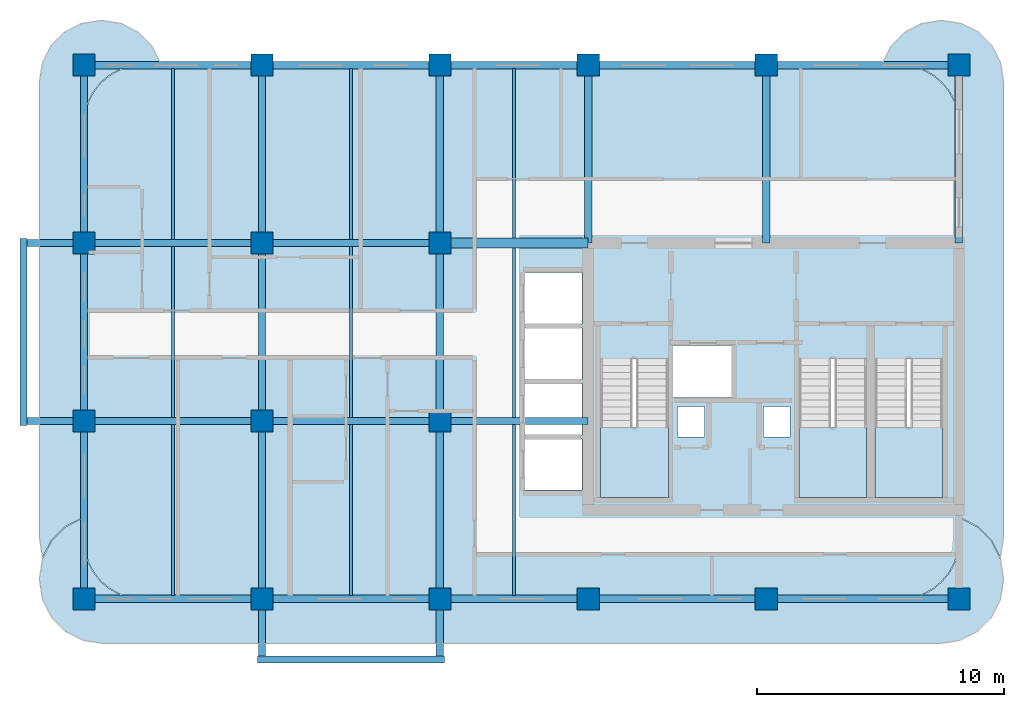
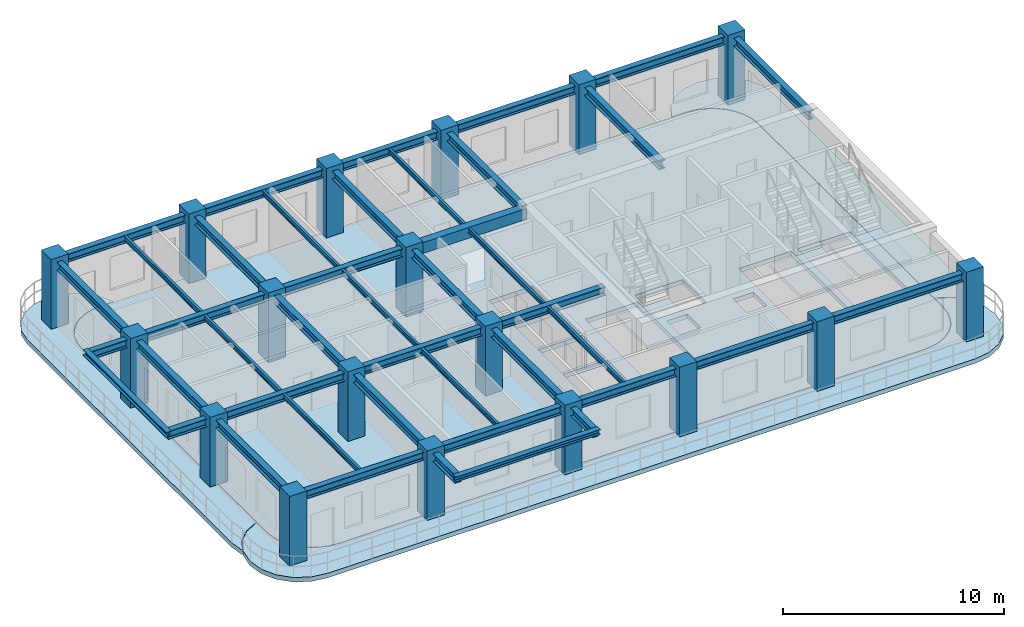
# One storey, part 1 of 8: 39 beams, 18 columns, 7 slabs, 3 elements without a shape of their own.
"""IFC4 building model written with IfcOpenShell, lengths in metres."""

from ifc_helpers import new_model, si_unit, derived_unit, direction, frame, origin, origin_2d, place, context, subcontext, project, spatial, polyline, rectangle, i_section, outline, extrude, source, transform, mapped, material, layer, layer_set, material_profile, profile_set, type_object, type_shapes, element, aggregate, save


model = new_model("IFC4")

# Units and contexts
model_context = context("Model", 3, precision=1e-05, world=origin(), true_north=direction((0.0, 1.0)))
body_context = subcontext(model_context, "Body", "Model", "MODEL_VIEW")
ifc_project = project(units=[si_unit("LENGTHUNIT", "METRE"), si_unit("AREAUNIT", "SQUARE_METRE"), si_unit("VOLUMEUNIT", "CUBIC_METRE"), si_unit("PLANEANGLEUNIT", "RADIAN"), si_unit("MASSUNIT", "GRAM", prefix="KILO"), si_unit("THERMODYNAMICTEMPERATUREUNIT", "KELVIN"), si_unit("POWERUNIT", "WATT"), derived_unit("THERMALTRANSMITTANCEUNIT", [(si_unit("POWERUNIT", "WATT"), 1), (si_unit("AREAUNIT", "SQUARE_METRE"), -1), (si_unit("THERMODYNAMICTEMPERATUREUNIT", "KELVIN"), -1)])], contexts=[model_context])

# Site, building, storey
site_placement = place(None, origin())
site = spatial("IfcSite", under=ifc_project, at=site_placement, CompositionType="ELEMENT")
building_placement = place(site_placement, origin())
building = spatial("IfcBuilding", under=site, at=building_placement, Name="Zahravan Archway Hotel and Residences", CompositionType="ELEMENT")
storey_placement = place(building_placement, frame((0.0, 0.0, 228.85009765625)))
storey = spatial("IfcBuildingStorey", under=building, at=storey_placement, Name="L57", CompositionType="ELEMENT", Elevation=228.85009765625)

# Columns
ifc_material_1 = material(Name="Concrete C60/75", Category="concrete")
ifc_material_profile_1 = material_profile(ifc_material_1, rectangle(XDim=0.89990234375, YDim=0.89990234375, at=origin_2d()), Name="RC-COL-900x900", Category="concrete")
ifc_profile_set_1 = profile_set([ifc_material_profile_1], Name="Concrete C60/75")
column_type = type_object("IfcColumnType", Name="COL-RC-900", PredefinedType="COLUMN", material=ifc_profile_set_1)
shared_shape_1 = source(origin(), body_context, "Body", "SweptSolid", [
    extrude(rectangle(XDim=0.89990234375, YDim=0.89990234375, at=origin_2d()), origin(), (0.0, 0.0, 1.0), 3.849853515625),
])
for number, where, z_axis, x_axis, name in (
    (1, (14.39990234375, 0.0, 0.0), (0.0, 0.0, 1.0), (1.0, 0.0, 0.0), "L57 Column 3-A"),
    (2, (14.39990234375, 7.199951171875, 0.0), (0.0, 0.0, 1.0), (1.0, 0.0, 0.0), "L57 Column 3-B"),
    (3, (14.39990234375, 14.39990234375, 0.0), (0.0, 0.0, 1.0), (1.0, 0.0, 0.0), "L57 Column 3-C"),
    (4, (14.39990234375, 21.60009765625, 0.0), (0.0, 0.0, 1.0), (1.0, 0.0, 0.0), "L57 Column 3-D"),
    (5, (21.60009765625, 0.0, 0.0), (0.0, 0.0, 1.0), (1.0, 0.0, 0.0), "L57 Column 4-A"),
    (6, (21.60009765625, 7.199951171875, 0.0), (0.0, 0.0, 1.0), (1.0, 0.0, 0.0), "L57 Column 4-B"),
    (7, (21.60009765625, 14.39990234375, 0.0), (0.0, 0.0, 1.0), (1.0, 0.0, 0.0), "L57 Column 4-C"),
    (8, (21.60009765625, 21.60009765625, 0.0), (0.0, 0.0, 1.0), (1.0, 0.0, 0.0), "L57 Column 4-D"),
    (9, (28.800048828125, 0.0, 0.0), (0.0, 0.0, 1.0), (1.0, 0.0, 0.0), "L57 Column 5-A"),
    (10, (28.800048828125, 7.199951171875, 0.0), (0.0, 0.0, 1.0), (1.0, 0.0, 0.0), "L57 Column 5-B"),
    (11, (28.800048828125, 14.39990234375, 0.0), (0.0, 0.0, 1.0), (1.0, 0.0, 0.0), "L57 Column 5-C"),
    (12, (28.800048828125, 21.60009765625, 0.0), (0.0, 0.0, 1.0), (1.0, 0.0, 0.0), "L57 Column 5-D"),
    (13, (34.800048828125, 0.0, 0.0), (0.0, 0.0, 1.0), (1.0, 0.0, 0.0), "L57 Column 6-A"),
    (14, (34.800048828125, 21.60009765625, 0.0), (0.0, 0.0, 1.0), (1.0, 0.0, 0.0), "L57 Column 6-D"),
    (15, (42.0, 0.0, 0.0), (0.0, 0.0, 1.0), (1.0, 0.0, 0.0), "L57 Column 7-A"),
    (16, (42.0, 21.60009765625, 0.0), (0.0, 0.0, 1.0), (1.0, 0.0, 0.0), "L57 Column 7-D"),
    (17, (49.800048828125, 0.0, 0.0), (0.0, 0.0, 1.0), (1.0, 0.0, 0.0), "L57 Column 8-A"),
    (18, (49.800048828125, 21.60009765625, 0.0), (0.0, 0.0, 1.0), (1.0, 0.0, 0.0), "L57 Column 8-D"),
):
    element("IfcColumn", number, at=place(storey_placement, frame(where, z_axis=z_axis, x_axis=x_axis)), inside=storey, type_object=column_type, Name=name, PredefinedType="COLUMN", context=body_context, shape_type="MappedRepresentation", body=[
        mapped(shared_shape_1, transform((0.0, 0.0, 0.0), scale=1.0)),
    ])

# Beams
ifc_material_2 = material(Name="Structural Steel S355JR", Category="steel")
ifc_material_profile_2 = material_profile(ifc_material_2, i_section(OverallWidth=0.280029296875, OverallDepth=0.280029296875, WebThickness=0.010498046875, FlangeThickness=0.01806640625, FilletRadius=0.02392578125, at=origin_2d()), Name="HEB 280", Category="steel")
ifc_profile_set_2 = profile_set([ifc_material_profile_2], Name="Structural Steel S355JR")
beam_type_1 = type_object("IfcBeamType", Name="BM-SPN-HEB280", PredefinedType="SPANDREL", material=ifc_profile_set_2)
shared_shape_2 = source(origin(), body_context, "Body", "SweptSolid", [
    extrude(i_section(OverallWidth=0.280029296875, OverallDepth=0.280029296875, WebThickness=0.010498046875, FlangeThickness=0.01806640625, FilletRadius=0.02392578125, at=origin_2d()), origin(), (0.0, 0.0, 1.0), 7.56005859375),
])
type_shapes(beam_type_1, [shared_shape_2])
for number, where, z_axis, x_axis, name in (
    (19, (11.949951171875, 7.02001953125, 3.4599609375), (0.0, 1.0, 0.0), (-1.0, 0.0, 0.0), "L58 WA Balcony Edge Spandrel"),
    (20, (21.419921875, -2.449951171875, 3.4599609375), (1.0, 0.0, 0.0), (0.0, 1.0, 0.0), "L58 SA Balcony Edge Spandrel"),
):
    element("IfcBeam", number, at=place(storey_placement, frame(where, z_axis=z_axis, x_axis=x_axis)), inside=storey, type_object=beam_type_1, Name=name, PredefinedType="SPANDREL", context=body_context, shape_type="MappedRepresentation", body=[
        mapped(shared_shape_2, transform((0.0, 0.0, 0.0), scale=1.0)),
    ])
ifc_material_profile_3 = material_profile(ifc_material_1, rectangle(XDim=0.39990234375, YDim=0.60009765625, at=origin_2d()), Name="RC-LNT-400x600", Category="concrete")
ifc_profile_set_3 = profile_set([ifc_material_profile_3], Name="Concrete C60/75")
beam_type_2 = type_object("IfcBeamType", Name="LNT-RC-400x600", PredefinedType="LINTEL", material=ifc_profile_set_3)
shared_shape_3 = source(origin(), body_context, "Body", "SweptSolid", [
    extrude(rectangle(XDim=0.39990234375, YDim=0.60009765625, at=origin_2d()), origin(), (0.0, 0.0, 1.0), 6.0),
])
type_shapes(beam_type_2, [shared_shape_3])
beam_placement = place(storey_placement, frame((28.800048828125, 14.39990234375, 3.2998046875), z_axis=(1.0, 0.0, 0.0), x_axis=(0.0, 1.0, 0.0)))
element("IfcBeam", 21, at=beam_placement, inside=storey, type_object=beam_type_2, Name="L57 Core A Coupling Lintel Beam", PredefinedType="LINTEL", context=body_context, shape_type="MappedRepresentation", body=[
    mapped(shared_shape_3, transform((0.0, 0.0, 0.0), scale=1.0)),
])
ifc_material_profile_4 = material_profile(ifc_material_2, i_section(OverallWidth=0.300048828125, OverallDepth=0.449951171875, WebThickness=0.013916015625, FlangeThickness=0.02587890625, FilletRadius=0.027099609375, at=origin_2d()), Name="HEB 450", Category="steel")
ifc_profile_set_4 = profile_set([ifc_material_profile_4], Name="Structural Steel S355JR")
beam_type_3 = type_object("IfcBeamType", Name="BM-PRI-HEB450", PredefinedType="BEAM", material=ifc_profile_set_4)
shared_shape_4 = source(origin(), body_context, "Body", "SweptSolid", [
    extrude(i_section(OverallWidth=0.300048828125, OverallDepth=0.449951171875, WebThickness=0.013916015625, FlangeThickness=0.02587890625, FilletRadius=0.027099609375, at=origin_2d()), origin(), (0.0, 0.0, 1.0), 7.2001953125),
])
type_shapes(beam_type_3, [shared_shape_4])
for number, where, z_axis, x_axis, name in (
    (22, (14.39990234375, 0.0, 3.375), (1.0, 0.0, 0.0), (0.0, 1.0, 0.0), "L57 Primary Girder EW-01"),
    (23, (14.39990234375, 21.60009765625, 3.375), (1.0, 0.0, 0.0), (0.0, 1.0, 0.0), "L57 Primary Girder EW-11"),
    (24, (14.39990234375, 14.39990234375, 3.375), (0.0, 1.0, 0.0), (-1.0, 0.0, 0.0), "L57 Primary Girder NS-18"),
    (25, (21.60009765625, 14.39990234375, 3.375), (0.0, 1.0, 0.0), (-1.0, 0.0, 0.0), "L57 Primary Girder NS-21"),
    (26, (28.800048828125, 14.39990234375, 3.375), (0.0, 1.0, 0.0), (-1.0, 0.0, 0.0), "L57 Primary Girder NS-24"),
    (27, (34.800048828125, 14.39990234375, 3.375), (0.0, 1.0, 0.0), (-1.0, 0.0, 0.0), "L57 Primary Girder NS-25"),
    (28, (42.0, 14.39990234375, 3.375), (0.0, 1.0, 0.0), (-1.0, 0.0, 0.0), "L57 Primary Girder NS-26"),
    (29, (49.800048828125, 14.39990234375, 3.375), (0.0, 1.0, 0.0), (-1.0, 0.0, 0.0), "L57 Primary Girder NS-27"),
):
    element("IfcBeam", number, at=place(storey_placement, frame(where, z_axis=z_axis, x_axis=x_axis)), inside=storey, type_object=beam_type_3, Name=name, PredefinedType="BEAM", context=body_context, shape_type="MappedRepresentation", body=[
        mapped(shared_shape_4, transform((0.0, 0.0, 0.0), scale=1.0)),
    ])
shared_shape_5 = source(origin(), body_context, "Body", "SweptSolid", [
    extrude(i_section(OverallWidth=0.300048828125, OverallDepth=0.449951171875, WebThickness=0.013916015625, FlangeThickness=0.02587890625, FilletRadius=0.027099609375, at=origin_2d()), origin(), (0.0, 0.0, 1.0), 7.199951171875),
])
for number, where, z_axis, x_axis, name in (
    (30, (21.60009765625, 0.0, 3.375), (1.0, 0.0, 0.0), (0.0, 1.0, 0.0), "L57 Primary Girder EW-02"),
    (31, (34.800048828125, 0.0, 3.375), (1.0, 0.0, 0.0), (0.0, 1.0, 0.0), "L57 Primary Girder EW-04"),
    (32, (21.60009765625, 7.199951171875, 3.375), (1.0, 0.0, 0.0), (0.0, 1.0, 0.0), "L57 Primary Girder EW-07"),
    (33, (21.60009765625, 14.39990234375, 3.375), (1.0, 0.0, 0.0), (0.0, 1.0, 0.0), "L57 Primary Girder EW-10"),
    (34, (21.60009765625, 21.60009765625, 3.375), (1.0, 0.0, 0.0), (0.0, 1.0, 0.0), "L57 Primary Girder EW-12"),
    (35, (34.800048828125, 21.60009765625, 3.375), (1.0, 0.0, 0.0), (0.0, 1.0, 0.0), "L57 Primary Girder EW-14"),
    (36, (14.39990234375, 0.0, 3.375), (0.0, 1.0, 0.0), (-1.0, 0.0, 0.0), "L57 Primary Girder NS-16"),
    (37, (14.39990234375, 7.199951171875, 3.375), (0.0, 1.0, 0.0), (-1.0, 0.0, 0.0), "L57 Primary Girder NS-17"),
    (38, (21.60009765625, 7.199951171875, 3.375), (0.0, 1.0, 0.0), (-1.0, 0.0, 0.0), "L57 Primary Girder NS-20"),
    (39, (28.800048828125, 7.199951171875, 3.375), (0.0, 1.0, 0.0), (-1.0, 0.0, 0.0), "L57 Primary Girder NS-23"),
):
    element("IfcBeam", number, at=place(storey_placement, frame(where, z_axis=z_axis, x_axis=x_axis)), inside=storey, type_object=beam_type_3, Name=name, PredefinedType="BEAM", context=body_context, shape_type="MappedRepresentation", body=[
        mapped(shared_shape_5, transform((0.0, 0.0, 0.0), scale=1.0)),
    ])
shared_shape_6 = source(origin(), body_context, "Body", "SweptSolid", [
    extrude(i_section(OverallWidth=0.300048828125, OverallDepth=0.449951171875, WebThickness=0.013916015625, FlangeThickness=0.02587890625, FilletRadius=0.027099609375, at=origin_2d()), origin(), (0.0, 0.0, 1.0), 6.0),
])
for number, where, z_axis, x_axis, name in (
    (40, (28.800048828125, 0.0, 3.375), (1.0, 0.0, 0.0), (0.0, 1.0, 0.0), "L57 Primary Girder EW-03"),
    (41, (28.800048828125, 7.199951171875, 3.375), (1.0, 0.0, 0.0), (0.0, 1.0, 0.0), "L57 Primary Girder EW-08"),
    (42, (28.800048828125, 21.60009765625, 3.375), (1.0, 0.0, 0.0), (0.0, 1.0, 0.0), "L57 Primary Girder EW-13"),
):
    element("IfcBeam", number, at=place(storey_placement, frame(where, z_axis=z_axis, x_axis=x_axis)), inside=storey, type_object=beam_type_3, Name=name, PredefinedType="BEAM", context=body_context, shape_type="MappedRepresentation", body=[
        mapped(shared_shape_6, transform((0.0, 0.0, 0.0), scale=1.0)),
    ])
shared_shape_7 = source(origin(), body_context, "Body", "SweptSolid", [
    extrude(i_section(OverallWidth=0.300048828125, OverallDepth=0.449951171875, WebThickness=0.013916015625, FlangeThickness=0.02587890625, FilletRadius=0.027099609375, at=origin_2d()), origin(), (0.0, 0.0, 1.0), 7.800048828125),
])
for number, where, z_axis, x_axis, name in (
    (43, (42.0, 0.0, 3.375), (1.0, 0.0, 0.0), (0.0, 1.0, 0.0), "L57 Primary Girder EW-05"),
    (44, (42.0, 21.60009765625, 3.375), (1.0, 0.0, 0.0), (0.0, 1.0, 0.0), "L57 Primary Girder EW-15"),
):
    element("IfcBeam", number, at=place(storey_placement, frame(where, z_axis=z_axis, x_axis=x_axis)), inside=storey, type_object=beam_type_3, Name=name, PredefinedType="BEAM", context=body_context, shape_type="MappedRepresentation", body=[
        mapped(shared_shape_7, transform((0.0, 0.0, 0.0), scale=1.0)),
    ])
shared_shape_8 = source(origin(), body_context, "Body", "SweptSolid", [
    extrude(i_section(OverallWidth=0.300048828125, OverallDepth=0.449951171875, WebThickness=0.013916015625, FlangeThickness=0.02587890625, FilletRadius=0.027099609375, at=origin_2d()), origin(), (0.0, 0.0, 1.0), 9.650146484375),
])
for number, where, z_axis, x_axis, name in (
    (45, (11.949951171875, 7.199951171875, 3.375), (1.0, 0.0, 0.0), (0.0, 1.0, 0.0), "L57 Primary Girder EW-06"),
    (46, (11.949951171875, 14.39990234375, 3.375), (1.0, 0.0, 0.0), (0.0, 1.0, 0.0), "L57 Primary Girder EW-09"),
):
    element("IfcBeam", number, at=place(storey_placement, frame(where, z_axis=z_axis, x_axis=x_axis)), inside=storey, type_object=beam_type_3, Name=name, PredefinedType="BEAM", context=body_context, shape_type="MappedRepresentation", body=[
        mapped(shared_shape_8, transform((0.0, 0.0, 0.0), scale=1.0)),
    ])
shared_shape_9 = source(origin(), body_context, "Body", "SweptSolid", [
    extrude(i_section(OverallWidth=0.300048828125, OverallDepth=0.449951171875, WebThickness=0.013916015625, FlangeThickness=0.02587890625, FilletRadius=0.027099609375, at=origin_2d()), origin(), (0.0, 0.0, 1.0), 9.64990234375),
])
for number, where, z_axis, x_axis, name in (
    (47, (21.60009765625, -2.449951171875, 3.375), (0.0, 1.0, 0.0), (-1.0, 0.0, 0.0), "L57 Primary Girder NS-19"),
    (48, (28.800048828125, -2.449951171875, 3.375), (0.0, 1.0, 0.0), (-1.0, 0.0, 0.0), "L57 Primary Girder NS-22"),
):
    element("IfcBeam", number, at=place(storey_placement, frame(where, z_axis=z_axis, x_axis=x_axis)), inside=storey, type_object=beam_type_3, Name=name, PredefinedType="BEAM", context=body_context, shape_type="MappedRepresentation", body=[
        mapped(shared_shape_9, transform((0.0, 0.0, 0.0), scale=1.0)),
    ])
ifc_material_profile_5 = material_profile(ifc_material_2, i_section(OverallWidth=0.135009765625, OverallDepth=0.27001953125, WebThickness=0.006591796875, FlangeThickness=0.01025390625, FilletRadius=0.014892578125, at=origin_2d()), Name="IPE 270", Category="steel")
ifc_profile_set_5 = profile_set([ifc_material_profile_5], Name="Structural Steel S355JR")
beam_type_4 = type_object("IfcBeamType", Name="BM-JST-IPE270", PredefinedType="JOIST", material=ifc_profile_set_5)
shared_shape_10 = source(origin(), body_context, "Body", "SweptSolid", [
    extrude(i_section(OverallWidth=0.135009765625, OverallDepth=0.27001953125, WebThickness=0.006591796875, FlangeThickness=0.01025390625, FilletRadius=0.014892578125, at=origin_2d()), origin(), (0.0, 0.0, 1.0), 6.904052734375),
])
type_shapes(beam_type_4, [shared_shape_10])
for number, where, z_axis, x_axis, name in (
    (49, (18.0, 0.14794921875, 3.46484375), (0.0, 1.0, 0.0), (-1.0, 0.0, 0.0), "L57 Composite Floor Joist 01"),
    (50, (25.199951171875, 0.14794921875, 3.46484375), (0.0, 1.0, 0.0), (-1.0, 0.0, 0.0), "L57 Composite Floor Joist 02"),
    (51, (31.800048828125, 0.14794921875, 3.46484375), (0.0, 1.0, 0.0), (-1.0, 0.0, 0.0), "L57 Composite Floor Joist 03"),
    (52, (18.0, 7.347900390625, 3.46484375), (0.0, 1.0, 0.0), (-1.0, 0.0, 0.0), "L57 Composite Floor Joist 04"),
    (53, (25.199951171875, 7.347900390625, 3.46484375), (0.0, 1.0, 0.0), (-1.0, 0.0, 0.0), "L57 Composite Floor Joist 05"),
):
    element("IfcBeam", number, at=place(storey_placement, frame(where, z_axis=z_axis, x_axis=x_axis)), inside=storey, type_object=beam_type_4, Name=name, PredefinedType="JOIST", context=body_context, shape_type="MappedRepresentation", body=[
        mapped(shared_shape_10, transform((0.0, 0.0, 0.0), scale=1.0)),
    ])
shared_shape_11 = source(origin(), body_context, "Body", "SweptSolid", [
    extrude(i_section(OverallWidth=0.135009765625, OverallDepth=0.27001953125, WebThickness=0.006591796875, FlangeThickness=0.01025390625, FilletRadius=0.014892578125, at=origin_2d()), origin(), (0.0, 0.0, 1.0), 6.85400390625),
])
for number, where, z_axis, x_axis, name in (
    (54, (31.800048828125, 7.347900390625, 3.46484375), (0.0, 1.0, 0.0), (-1.0, 0.0, 0.0), "L57 Composite Floor Joist 06"),
    (55, (31.800048828125, 14.597900390625, 3.46484375), (0.0, 1.0, 0.0), (-1.0, 0.0, 0.0), "L57 Composite Floor Joist 07"),
):
    element("IfcBeam", number, at=place(storey_placement, frame(where, z_axis=z_axis, x_axis=x_axis)), inside=storey, type_object=beam_type_4, Name=name, PredefinedType="JOIST", context=body_context, shape_type="MappedRepresentation", body=[
        mapped(shared_shape_11, transform((0.0, 0.0, 0.0), scale=1.0)),
    ])
shared_shape_12 = source(origin(), body_context, "Body", "SweptSolid", [
    extrude(i_section(OverallWidth=0.135009765625, OverallDepth=0.27001953125, WebThickness=0.006591796875, FlangeThickness=0.01025390625, FilletRadius=0.014892578125, at=origin_2d()), origin(), (0.0, 0.0, 1.0), 6.90380859375),
])
for number, where, z_axis, x_axis, name in (
    (56, (18.0, 14.548095703125, 3.46484375), (0.0, 1.0, 0.0), (-1.0, 0.0, 0.0), "L57 Composite Floor Joist 08"),
    (57, (25.199951171875, 14.548095703125, 3.46484375), (0.0, 1.0, 0.0), (-1.0, 0.0, 0.0), "L57 Composite Floor Joist 09"),
):
    element("IfcBeam", number, at=place(storey_placement, frame(where, z_axis=z_axis, x_axis=x_axis)), inside=storey, type_object=beam_type_4, Name=name, PredefinedType="JOIST", context=body_context, shape_type="MappedRepresentation", body=[
        mapped(shared_shape_12, transform((0.0, 0.0, 0.0), scale=1.0)),
    ])

# Slabs
ifc_material_3 = material(Name="Concrete C45/55", Category="concrete")
ifc_layer_1 = layer(ifc_material_3, 0.25, Name="Concrete C45/55", Category="concrete")
ifc_layer_set_1 = layer_set([ifc_layer_1], Name="Concrete C45/55")
slab_type_1 = type_object("IfcSlabType", Name="SLB-BALC-250", PredefinedType="FLOOR", material=ifc_layer_set_1)
slab_1_placement = place(storey_placement, frame((0.0, 0.0, -0.25)))
element("IfcSlab", 58, at=slab_1_placement, inside=storey, type_object=slab_type_1, Name="L57 Wing A South Rounded Balcony Band", PredefinedType="FLOOR", context=body_context, shape_type="SweptSolid", body=[
    extrude(outline(polyline([(49.837890625, 3.275146484375), (50.548828125, 2.9130859375), (51.113037109375, 2.348876953125), (51.47509765625, 1.637939453125), (51.60009765625, 0.85009765625), (51.60009765625, 0.75), (51.47509765625, -0.0380859375), (51.113037109375, -0.748779296875), (50.548828125, -1.31298828125), (49.837890625, -1.67529296875), (49.050048828125, -1.800048828125), (15.14990234375, -1.800048828125), (14.362060546875, -1.67529296875), (13.651123046875, -1.31298828125), (13.0869140625, -0.748779296875), (12.724853515625, -0.0380859375), (12.60009765625, 0.75), (12.60009765625, 0.85009765625), (12.724853515625, 1.637939453125), (13.0869140625, 2.348876953125), (13.651123046875, 2.9130859375), (14.362060546875, 3.275146484375), (14.3798828125, 3.278076171875), (14.3798828125, 2.39990234375), (14.380126953125, 2.39794921875), (14.42626953125, 1.9296875), (14.426513671875, 1.927978515625), (14.427001953125, 1.926025390625), (14.563720703125, 1.475830078125), (14.564208984375, 1.473876953125), (14.565185546875, 1.47216796875), (14.786865234375, 1.05712890625), (14.787841796875, 1.055419921875), (14.7890625, 1.053955078125), (15.08740234375, 0.690185546875), (15.0888671875, 0.688720703125), (15.090087890625, 0.6875), (15.453857421875, 0.388916015625), (15.45556640625, 0.387939453125), (15.457275390625, 0.386962890625), (15.872314453125, 0.1650390625), (15.873779296875, 0.164306640625), (15.875732421875, 0.16357421875), (16.325927734375, 0.027099609375), (16.327880859375, 0.026611328125), (16.329833984375, 0.026123046875), (16.798095703125, -0.02001953125), (16.800048828125, -0.02001953125), (47.39990234375, -0.02001953125), (47.402099609375, -0.02001953125), (47.8701171875, 0.026123046875), (47.8720703125, 0.026611328125), (47.8740234375, 0.027099609375), (48.32421875, 0.16357421875), (48.326171875, 0.164306640625), (48.327880859375, 0.1650390625), (48.742919921875, 0.386962890625), (48.744384765625, 0.387939453125), (48.74609375, 0.388916015625), (49.10986328125, 0.6875), (49.111083984375, 0.688720703125), (49.112548828125, 0.690185546875), (49.410888671875, 1.053955078125), (49.412109375, 1.055419921875), (49.4130859375, 1.05712890625), (49.635009765625, 1.47216796875), (49.6357421875, 1.473876953125), (49.636474609375, 1.475830078125), (49.77294921875, 1.926025390625), (49.7734375, 1.927978515625), (49.773681640625, 1.9296875), (49.81982421875, 2.39794921875), (49.820068359375, 2.39990234375), (49.820068359375, 3.278076171875), (49.837890625, 3.275146484375)])), origin(), (0.0, 0.0, 1.0), 0.25),
])
slab_2_placement = place(storey_placement, frame((0.0, 0.0, -0.25)))
element("IfcSlab", 59, at=slab_2_placement, inside=storey, type_object=slab_type_1, Name="L57 Wing A East Rounded Balcony Band", PredefinedType="FLOOR", context=body_context, shape_type="SweptSolid", body=[
    extrude(outline(polyline([(46.719970703125, 21.70703125), (47.06787109375, 22.39013671875), (47.60986328125, 22.93212890625), (48.29296875, 23.280029296875), (49.050048828125, 23.39990234375), (49.14990234375, 23.39990234375), (49.906982421875, 23.280029296875), (50.590087890625, 22.93212890625), (51.132080078125, 22.39013671875), (51.47998046875, 21.70703125), (51.60009765625, 20.949951171875), (51.60009765625, 2.449951171875), (51.47998046875, 1.69287109375), (51.474853515625, 1.6826171875), (51.130859375, 2.35791015625), (51.1298828125, 2.35986328125), (51.12841796875, 2.361572265625), (51.127197265625, 2.363037109375), (50.56298828125, 2.927001953125), (50.5615234375, 2.928466796875), (50.559814453125, 2.9296875), (50.55810546875, 2.930908203125), (49.84716796875, 3.29296875), (49.84521484375, 3.2939453125), (49.84326171875, 3.29443359375), (49.841064453125, 3.294921875), (49.822998046875, 3.2978515625), (49.8212890625, 3.298095703125), (49.820068359375, 3.298095703125), (49.820068359375, 19.199951171875), (49.81982421875, 19.201904296875), (49.773681640625, 19.670166015625), (49.7734375, 19.672119140625), (49.77294921875, 19.674072265625), (49.636474609375, 20.124267578125), (49.6357421875, 20.126220703125), (49.635009765625, 20.127685546875), (49.4130859375, 20.542724609375), (49.412109375, 20.54443359375), (49.410888671875, 20.546142578125), (49.112548828125, 20.909912109375), (49.111083984375, 20.9111328125), (49.10986328125, 20.91259765625), (48.74609375, 21.2109375), (48.744384765625, 21.212158203125), (48.742919921875, 21.213134765625), (48.327880859375, 21.434814453125), (48.326171875, 21.435791015625), (48.32421875, 21.436279296875), (47.8740234375, 21.572998046875), (47.8720703125, 21.573486328125), (47.8701171875, 21.57373046875), (47.402099609375, 21.619873046875), (47.39990234375, 21.6201171875), (46.7060546875, 21.6201171875), (46.719970703125, 21.70703125)])), origin(), (0.0, 0.0, 1.0), 0.25),
])
slab_3_placement = place(storey_placement, frame((0.0, 0.0, -0.25)))
element("IfcSlab", 60, at=slab_3_placement, inside=storey, type_object=slab_type_1, Name="L57 Wing A West Rounded Balcony Band", PredefinedType="FLOOR", context=body_context, shape_type="SweptSolid", body=[
    extrude(outline(polyline([(12.719970703125, 1.69287109375), (12.60009765625, 2.449951171875), (12.60009765625, 20.949951171875), (12.719970703125, 21.70703125), (13.06787109375, 22.39013671875), (13.60986328125, 22.93212890625), (14.29296875, 23.280029296875), (15.050048828125, 23.39990234375), (15.14990234375, 23.39990234375), (15.906982421875, 23.280029296875), (16.590087890625, 22.93212890625), (17.132080078125, 22.39013671875), (17.47998046875, 21.70703125), (17.493896484375, 21.6201171875), (16.800048828125, 21.6201171875), (16.798095703125, 21.619873046875), (16.329833984375, 21.57373046875), (16.327880859375, 21.573486328125), (16.325927734375, 21.572998046875), (15.875732421875, 21.436279296875), (15.873779296875, 21.435791015625), (15.872314453125, 21.434814453125), (15.457275390625, 21.213134765625), (15.45556640625, 21.212158203125), (15.453857421875, 21.2109375), (15.090087890625, 20.91259765625), (15.0888671875, 20.9111328125), (15.08740234375, 20.909912109375), (14.7890625, 20.546142578125), (14.787841796875, 20.54443359375), (14.786865234375, 20.542724609375), (14.565185546875, 20.127685546875), (14.564208984375, 20.126220703125), (14.563720703125, 20.124267578125), (14.427001953125, 19.674072265625), (14.426513671875, 19.672119140625), (14.42626953125, 19.670166015625), (14.380126953125, 19.201904296875), (14.3798828125, 19.199951171875), (14.3798828125, 3.298095703125), (14.37890625, 3.298095703125), (14.376953125, 3.2978515625), (14.35888671875, 3.294921875), (14.356689453125, 3.29443359375), (14.354736328125, 3.2939453125), (14.352783203125, 3.29296875), (13.64208984375, 2.930908203125), (13.64013671875, 2.9296875), (13.638427734375, 2.928466796875), (13.636962890625, 2.927001953125), (13.072998046875, 2.363037109375), (13.071533203125, 2.361572265625), (13.0703125, 2.35986328125), (13.069091796875, 2.35791015625), (12.72509765625, 1.6826171875), (12.719970703125, 1.69287109375)])), origin(), (0.0, 0.0, 1.0), 0.25),
])
ifc_layer_2 = layer(ifc_material_3, 0.25, Name="Concrete C45/55", Category="concrete")
ifc_layer_set_2 = layer_set([ifc_layer_2], Name="Concrete C45/55")
slab_type_2 = type_object("IfcSlabType", Name="SLB-FLR-250", PredefinedType="FLOOR", material=ifc_layer_set_2)
slab_4_placement = place(storey_placement, frame((0.0, 0.0, -0.25)))
element("IfcSlab", 61, at=slab_4_placement, inside=storey, type_object=slab_type_2, Name="L57 Floor Slab WA", PredefinedType="FLOOR", context=body_context, shape_type="SweptSolid", body=[
    extrude(outline(polyline([(47.39990234375, 0.0), (47.8681640625, 0.046142578125), (48.318359375, 0.1826171875), (48.7333984375, 0.404541015625), (49.09716796875, 0.702880859375), (49.3955078125, 1.066650390625), (49.6171875, 1.481689453125), (49.75390625, 1.931884765625), (49.800048828125, 2.39990234375), (49.800048828125, 19.199951171875), (49.75390625, 19.668212890625), (49.6171875, 20.118408203125), (49.3955078125, 20.533447265625), (49.09716796875, 20.897216796875), (48.7333984375, 21.195556640625), (48.318359375, 21.417236328125), (47.8681640625, 21.553955078125), (47.39990234375, 21.60009765625), (16.800048828125, 21.60009765625), (16.331787109375, 21.553955078125), (15.881591796875, 21.417236328125), (15.466552734375, 21.195556640625), (15.102783203125, 20.897216796875), (14.804443359375, 20.533447265625), (14.582763671875, 20.118408203125), (14.446044921875, 19.668212890625), (14.39990234375, 19.199951171875), (14.39990234375, 2.39990234375), (14.446044921875, 1.931884765625), (14.582763671875, 1.481689453125), (14.804443359375, 1.066650390625), (15.102783203125, 0.702880859375), (15.466552734375, 0.404541015625), (15.881591796875, 0.1826171875), (16.331787109375, 0.046142578125), (16.800048828125, 0.0), (47.39990234375, 0.0)]), holes=[polyline([(35.300048828125, 9.72998046875), (35.300048828125, 4.10009765625), (38.0400390625, 4.10009765625), (38.0400390625, 9.72998046875), (35.300048828125, 9.72998046875)]), polyline([(43.320068359375, 9.72998046875), (43.320068359375, 4.10009765625), (46.06005859375, 4.10009765625), (46.06005859375, 9.72998046875), (43.320068359375, 9.72998046875)]), polyline([(46.39990234375, 9.72998046875), (46.39990234375, 4.10009765625), (49.139892578125, 4.10009765625), (49.139892578125, 9.72998046875), (46.39990234375, 9.72998046875)]), polyline([(38.179931640625, 8.14990234375), (40.699951171875, 8.14990234375), (40.699951171875, 10.25), (38.179931640625, 10.25), (38.179931640625, 8.14990234375)]), polyline([(32.25, 4.39990234375), (34.550048828125, 4.39990234375), (34.550048828125, 6.47998046875), (32.25, 6.47998046875), (32.25, 4.39990234375)]), polyline([(32.25, 6.639892578125), (34.550048828125, 6.639892578125), (34.550048828125, 8.719970703125), (32.25, 8.719970703125), (32.25, 6.639892578125)]), polyline([(32.25, 8.8798828125), (34.550048828125, 8.8798828125), (34.550048828125, 10.9599609375), (32.25, 10.9599609375), (32.25, 8.8798828125)]), polyline([(32.25, 11.1201171875), (34.550048828125, 11.1201171875), (34.550048828125, 13.199951171875), (32.25, 13.199951171875), (32.25, 11.1201171875)]), polyline([(38.419921875, 6.56005859375), (39.5, 6.56005859375), (39.5, 7.780029296875), (38.419921875, 7.780029296875), (38.419921875, 6.56005859375)]), polyline([(41.89990234375, 6.56005859375), (42.9599609375, 6.56005859375), (42.9599609375, 7.780029296875), (41.89990234375, 7.780029296875), (41.89990234375, 6.56005859375)])]), origin(), (0.0, 0.0, 1.0), 0.25),
])

# Stair, slab
ifc_material_4 = material(Name="Concrete C50/60", Category="concrete")
stair_type = type_object("IfcStairType", Name="STR-CORE-1300", PredefinedType="HALF_TURN_STAIR", material=ifc_material_4)
stair_1_placement = place(storey_placement, origin())
stair_1 = element("IfcStair", 62, at=stair_1_placement, inside=storey, type_object=stair_type, Name="L57 Core A Exit Stair 1", PredefinedType="HALF_TURN_STAIR")
ifc_layer_3 = layer(ifc_material_4, 0.199951171875, Name="Concrete C50/60", Category="concrete")
ifc_layer_set_3 = layer_set([ifc_layer_3], Name="Concrete C50/60")
slab_type_3 = type_object("IfcSlabType", Name="SLB-LND-200", PredefinedType="LANDING", material=ifc_layer_set_3)
slab_5_placement = place(storey_placement, frame((0.0, 0.0, 1.724853515625)))
slab_5 = element("IfcSlab", 63, at=slab_5_placement, type_object=slab_type_3, Name="ST-A1 landing 1", PredefinedType="LANDING", context=body_context, shape_type="SweptSolid", body=[
    extrude(outline(polyline([(35.300048828125, 6.929931640625), (35.300048828125, 4.10009765625), (38.0400390625, 4.10009765625), (38.0400390625, 6.929931640625), (35.300048828125, 6.929931640625)])), origin(), (0.0, 0.0, 1.0), 0.199951171875),
])
aggregate(stair_1, [slab_5])

stair_2_placement = place(storey_placement, origin())
stair_2 = element("IfcStair", 64, at=stair_2_placement, inside=storey, type_object=stair_type, Name="L57 Core A Exit Stair 2", PredefinedType="HALF_TURN_STAIR")
slab_6_placement = place(storey_placement, frame((0.0, 0.0, 1.724853515625)))
slab_6 = element("IfcSlab", 65, at=slab_6_placement, type_object=slab_type_3, Name="ST-A2 landing 1", PredefinedType="LANDING", context=body_context, shape_type="SweptSolid", body=[
    extrude(outline(polyline([(43.320068359375, 6.929931640625), (43.320068359375, 4.10009765625), (46.06005859375, 4.10009765625), (46.06005859375, 6.929931640625), (43.320068359375, 6.929931640625)])), origin(), (0.0, 0.0, 1.0), 0.199951171875),
])
aggregate(stair_2, [slab_6])

stair_3_placement = place(storey_placement, origin())
stair_3 = element("IfcStair", 66, at=stair_3_placement, inside=storey, type_object=stair_type, Name="L57 Core A Exit Stair 3", PredefinedType="HALF_TURN_STAIR")
slab_7_placement = place(storey_placement, frame((0.0, 0.0, 1.724853515625)))
slab_7 = element("IfcSlab", 67, at=slab_7_placement, type_object=slab_type_3, Name="ST-A3 landing 1", PredefinedType="LANDING", context=body_context, shape_type="SweptSolid", body=[
    extrude(outline(polyline([(46.39990234375, 6.929931640625), (46.39990234375, 4.10009765625), (49.139892578125, 4.10009765625), (49.139892578125, 6.929931640625), (46.39990234375, 6.929931640625)])), origin(), (0.0, 0.0, 1.0), 0.199951171875),
])
aggregate(stair_3, [slab_7])

save(model, "model.ifc")
